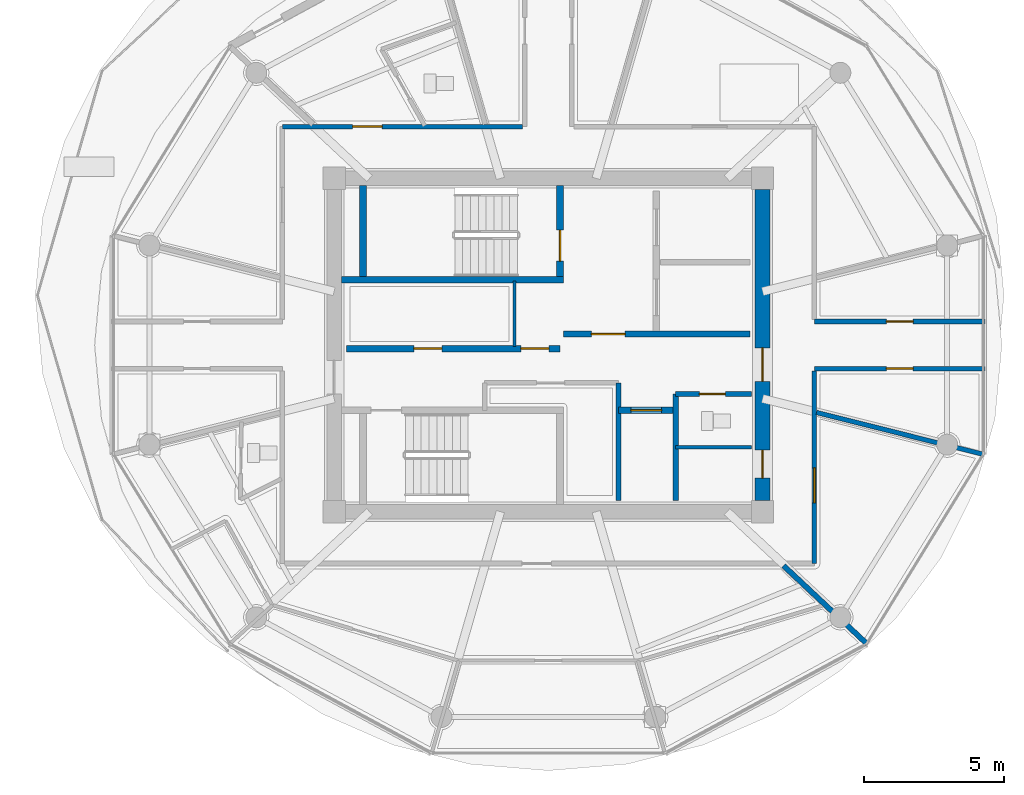
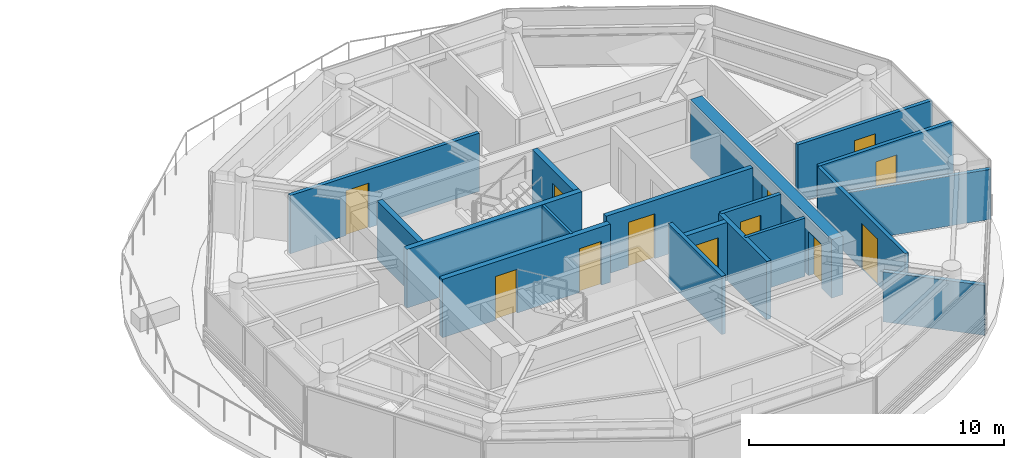
# One storey, part 14 of 28: 18 walls, 12 doors, 12 openings.
"""IFC4 building model written with IfcOpenShell, lengths in metres."""

from ifc_helpers import new_model, si_unit, direction, frame, frame_2d, origin, place, context, subcontext, project, spatial, rectangle, extrude, source, transform, mapped, material, layer, layer_set, type_object, type_shapes, element, fill, save


model = new_model("IFC4")

# Units and contexts
model_context = context("Model", 3, precision=1e-05, world=origin(), true_north=direction((0.0, 1.0)))
body_context = subcontext(model_context, "Body", "Model", "MODEL_VIEW")
ifc_project = project(units=[si_unit("LENGTHUNIT", "METRE"), si_unit("AREAUNIT", "SQUARE_METRE"), si_unit("VOLUMEUNIT", "CUBIC_METRE"), si_unit("PLANEANGLEUNIT", "RADIAN"), si_unit("MASSUNIT", "GRAM", prefix="KILO")], contexts=[model_context])

# Site, building, storey
site_placement = place(None, origin())
site = spatial("IfcSite", under=ifc_project, at=site_placement, CompositionType="ELEMENT")
building_placement = place(site_placement, origin())
building = spatial("IfcBuilding", under=site, at=building_placement, Name="Norrkilde Senior Care Towers", CompositionType="ELEMENT")
storey_placement = place(building_placement, frame((0.0, 0.0, 190.64990234375)))
storey = spatial("IfcBuildingStorey", under=building, at=storey_placement, Name="L59", CompositionType="ELEMENT", Elevation=190.64990234375)

# Wall, openings, doors
ifc_material_1 = material(Name="Concrete C50/60", Category="concrete")
ifc_layer_1 = layer(ifc_material_1, 0.52001953125)
ifc_layer_set_1 = layer_set([ifc_layer_1], Name="Concrete C50/60")
wall_type_1 = type_object("IfcWallType", Name="Core Shear Wall Z4 520", PredefinedType="SHEAR", material=ifc_layer_set_1)
shared_shape_1 = source(origin(), body_context, "Body", "SweptSolid", [
    extrude(rectangle(XDim=11.10009765625, YDim=0.52001953125, at=frame_2d((5.550048828125, 0.0))), origin(), (0.0, 0.0, 1.0), 2.81005859375),
])
type_shapes(wall_type_1, [shared_shape_1])
wall_1_placement = place(storey_placement, frame((35.64990234375, 5.550048828125, 0.0), z_axis=(0.0, 0.0, 1.0), x_axis=(0.0, -1.0, 0.0)))
wall_1 = element("IfcWall", 1, at=wall_1_placement, inside=storey, type_object=wall_type_1, Name="L59 Core E East Shear Wall", PredefinedType="SHEAR", context=body_context, shape_type="MappedRepresentation", body=[
    mapped(shared_shape_1, transform((0.0, 0.0, 0.0), x_axis=(1.0, 0.0, 0.0), y_axis=(0.0, 1.0, 0.0), z_axis=(0.0, 0.0, 1.0), scale=1.0)),
])
opening_1_placement = place(wall_1_placement, frame((5.64990234375, 0.0, 0.0)))
opening_1 = element("IfcOpeningElement", 2, at=opening_1_placement, cuts=wall_1, Name="Opening D-04", PredefinedType="OPENING", context=body_context, shape_type="SweptSolid", body=[
    extrude(rectangle(XDim=1.199951171875, YDim=2.14990234375, at=frame_2d((0.60009765625, 1.074951171875))), frame((0.0, 0.27001953125, 0.0), z_axis=(0.0, -1.0, 0.0), x_axis=(1.0, 0.0, 0.0)), (0.0, 0.0, 1.0), 0.5400390625),
])
opening_2_placement = place(wall_1_placement, frame((9.300048828125, 0.0, 0.0)))
opening_2 = element("IfcOpeningElement", 3, at=opening_2_placement, cuts=wall_1, Name="Opening D-10", PredefinedType="OPENING", context=body_context, shape_type="SweptSolid", body=[
    extrude(rectangle(XDim=1.0, YDim=2.10009765625, at=frame_2d((0.5, 1.050048828125))), frame((0.0, 0.27001953125, 0.0), z_axis=(0.0, -1.0, 0.0), x_axis=(1.0, 0.0, 0.0)), (0.0, 0.0, 1.0), 0.5400390625),
])
ifc_material_2 = material(Name="Galvanised Painted Steel", Category="steel")
door_type_1 = type_object("IfcDoorType", Name="Firefighting Lobby Fire Door 1200x2150", OperationType="NOTDEFINED", PredefinedType="DOOR", material=ifc_material_2)
shared_shape_2 = source(origin(), body_context, "Body", "SweptSolid", [
    extrude(rectangle(XDim=1.199951171875, YDim=2.14990234375, at=frame_2d((0.60009765625, 1.074951171875))), frame((0.0, 0.02490234375, 0.0), z_axis=(0.0, -1.0, 0.0), x_axis=(1.0, 0.0, 0.0)), (0.0, 0.0, 1.0), 0.050048828125),
])
type_shapes(door_type_1, [shared_shape_2])
door_1_placement = place(opening_1_placement, frame((1.199951171875, 0.0, 0.0), z_axis=(0.0, 0.0, 1.0), x_axis=(-1.0, 0.0, 0.0)))
door_1 = element("IfcDoor", 4, at=door_1_placement, inside=storey, type_object=door_type_1, Name="L59 Core E East Portal Door", OperationType="SINGLE_SWING_RIGHT", OverallHeight=2.14990234375, OverallWidth=1.199951171875, PredefinedType="DOOR", context=body_context, shape_type="MappedRepresentation", body=[
    mapped(shared_shape_2, transform((0.0, 0.0, 0.0), x_axis=(1.0, 0.0, 0.0), y_axis=(0.0, 1.0, 0.0), z_axis=(0.0, 0.0, 1.0), scale=1.0)),
])
fill(opening_1, door_1)
door_type_2 = type_object("IfcDoorType", Name="Plant and Riser Rated Door 1000x2100", OperationType="NOTDEFINED", PredefinedType="DOOR", material=ifc_material_2)
shared_shape_3 = source(origin(), body_context, "Body", "SweptSolid", [
    extrude(rectangle(XDim=1.0, YDim=2.10009765625, at=frame_2d((0.5, 1.050048828125))), frame((0.0, 0.02490234375, 0.0), z_axis=(0.0, -1.0, 0.0), x_axis=(1.0, 0.0, 0.0)), (0.0, 0.0, 1.0), 0.050048828125),
])
type_shapes(door_type_2, [shared_shape_3])
door_2_placement = place(opening_2_placement, frame((1.0, 0.0, 0.0), z_axis=(0.0, 0.0, 1.0), x_axis=(-1.0, 0.0, 0.0)))
door_2 = element("IfcDoor", 5, at=door_2_placement, inside=storey, type_object=door_type_2, Name="L59 Ventilation Riser E Door", OperationType="SINGLE_SWING_RIGHT", OverallHeight=2.10009765625, OverallWidth=1.0, PredefinedType="DOOR", context=body_context, shape_type="MappedRepresentation", body=[
    mapped(shared_shape_3, transform((0.0, 0.0, 0.0), x_axis=(1.0, 0.0, 0.0), y_axis=(0.0, 1.0, 0.0), z_axis=(0.0, 0.0, 1.0), scale=1.0)),
])
fill(opening_2, door_2)

# Wall, opening, door
ifc_material_3 = material(Name="Concrete C45/55", Category="concrete")
ifc_layer_2 = layer(ifc_material_3, 0.2099609375)
ifc_layer_set_2 = layer_set([ifc_layer_2], Name="Concrete C45/55")
wall_type_2 = type_object("IfcWallType", Name="Firefighting Lobby Wall 210", PredefinedType="PARTITIONING", material=ifc_layer_set_2)
shared_shape_4 = source(origin(), body_context, "Body", "SweptSolid", [
    extrude(rectangle(XDim=6.659912109375, YDim=0.2099609375, at=frame_2d((3.330078125, 0.0))), origin(), (0.0, 0.0, 1.0), 2.795166015625),
])
type_shapes(wall_type_2, [shared_shape_4])
wall_2_placement = place(storey_placement, frame((28.5400390625, 0.389892578125, 0.0), z_axis=(0.0, 0.0, 1.0), x_axis=(1.0, 0.0, 0.0)))
wall_2 = element("IfcWall", 6, at=wall_2_placement, inside=storey, type_object=wall_type_2, Name="WL-INT-L59-E-FFLS", PredefinedType="PARTITIONING", context=body_context, shape_type="MappedRepresentation", body=[
    mapped(shared_shape_4, transform((0.0, 0.0, 0.0), x_axis=(1.0, 0.0, 0.0), y_axis=(0.0, 1.0, 0.0), z_axis=(0.0, 0.0, 1.0), scale=1.0)),
])
opening_3_placement = place(wall_2_placement, frame((1.0, 0.0, 0.0)))
opening_3 = element("IfcOpeningElement", 7, at=opening_3_placement, cuts=wall_2, Name="Opening D-04", PredefinedType="OPENING", context=body_context, shape_type="SweptSolid", body=[
    extrude(rectangle(XDim=1.199951171875, YDim=2.14990234375, at=frame_2d((0.60009765625, 1.074951171875))), frame((0.0, 0.114990234375, 0.0), z_axis=(0.0, -1.0, 0.0), x_axis=(1.0, 0.0, 0.0)), (0.0, 0.0, 1.0), 0.22998046875),
])
door_3_placement = place(opening_3_placement, frame((1.199951171875, 0.0, 0.0), z_axis=(0.0, 0.0, 1.0), x_axis=(-1.0, 0.0, 0.0)))
door_3 = element("IfcDoor", 8, at=door_3_placement, inside=storey, type_object=door_type_1, Name="L59 Firefighting Lobby E Door", OperationType="SINGLE_SWING_LEFT", OverallHeight=2.14990234375, OverallWidth=1.199951171875, PredefinedType="DOOR", context=body_context, shape_type="MappedRepresentation", body=[
    mapped(shared_shape_2, transform((0.0, 0.0, 0.0), x_axis=(1.0, 0.0, 0.0), y_axis=(0.0, 1.0, 0.0), z_axis=(0.0, 0.0, 1.0), scale=1.0)),
])
fill(opening_3, door_3)

# Wall, openings, doors
ifc_layer_3 = layer(ifc_material_3, 0.239990234375)
ifc_layer_set_3 = layer_set([ifc_layer_3], Name="Concrete C45/55")
wall_type_3 = type_object("IfcWallType", Name="Lift and Plant Rated Enclosure Partition 240", PredefinedType="PARTITIONING", material=ifc_layer_set_3)
shared_shape_5 = source(origin(), body_context, "Body", "SweptSolid", [
    extrude(rectangle(XDim=7.619873046875, YDim=0.239990234375, at=frame_2d((3.81005859375, 0.0))), origin(), (0.0, 0.0, 1.0), 2.795166015625),
])
wall_3_placement = place(storey_placement, frame((20.800048828125, -0.1298828125, 0.0), z_axis=(0.0, 0.0, 1.0), x_axis=(1.0, 0.0, 0.0)))
wall_3 = element("IfcWall", 9, at=wall_3_placement, inside=storey, type_object=wall_type_3, Name="WL-INT-L59-E-PKAS", PredefinedType="PARTITIONING", context=body_context, shape_type="MappedRepresentation", body=[
    mapped(shared_shape_5, transform((0.0, 0.0, 0.0), x_axis=(1.0, 0.0, 0.0), y_axis=(0.0, 1.0, 0.0), z_axis=(0.0, 0.0, 1.0), scale=1.0)),
])
opening_4_placement = place(wall_3_placement, frame((6.219970703125, 0.0, 0.0)))
opening_4 = element("IfcOpeningElement", 10, at=opening_4_placement, cuts=wall_3, Name="Opening D-10", PredefinedType="OPENING", context=body_context, shape_type="SweptSolid", body=[
    extrude(rectangle(XDim=1.0, YDim=2.10009765625, at=frame_2d((0.5, 1.050048828125))), frame((0.0, 0.1298828125, 0.0), z_axis=(0.0, -1.0, 0.0), x_axis=(1.0, 0.0, 0.0)), (0.0, 0.0, 1.0), 0.260009765625),
])
opening_5_placement = place(wall_3_placement, frame((2.39990234375, 0.0, 0.0)))
opening_5 = element("IfcOpeningElement", 11, at=opening_5_placement, cuts=wall_3, Name="Opening D-10", PredefinedType="OPENING", context=body_context, shape_type="SweptSolid", body=[
    extrude(rectangle(XDim=1.0, YDim=2.10009765625, at=frame_2d((0.5, 1.050048828125))), frame((0.0, 0.1298828125, 0.0), z_axis=(0.0, -1.0, 0.0), x_axis=(1.0, 0.0, 0.0)), (0.0, 0.0, 1.0), 0.260009765625),
])
door_4_placement = place(opening_4_placement, frame((1.0, 0.0, 0.0), z_axis=(0.0, 0.0, 1.0), x_axis=(-1.0, 0.0, 0.0)))
door_4 = element("IfcDoor", 12, at=door_4_placement, inside=storey, type_object=door_type_2, Name="L59 Electrical Riser E Door", OperationType="SINGLE_SWING_LEFT", OverallHeight=2.10009765625, OverallWidth=1.0, PredefinedType="DOOR", context=body_context, shape_type="MappedRepresentation", body=[
    mapped(shared_shape_3, transform((0.0, 0.0, 0.0), x_axis=(1.0, 0.0, 0.0), y_axis=(0.0, 1.0, 0.0), z_axis=(0.0, 0.0, 1.0), scale=1.0)),
])
fill(opening_4, door_4)
door_5_placement = place(opening_5_placement, frame((1.0, 0.0, 0.0), z_axis=(0.0, 0.0, 1.0), x_axis=(-1.0, 0.0, 0.0)))
door_5 = element("IfcDoor", 13, at=door_5_placement, inside=storey, type_object=door_type_2, Name="L59 Clean Supply Store E Door", OperationType="SINGLE_SWING_LEFT", OverallHeight=2.10009765625, OverallWidth=1.0, PredefinedType="DOOR", context=body_context, shape_type="MappedRepresentation", body=[
    mapped(shared_shape_3, transform((0.0, 0.0, 0.0), x_axis=(1.0, 0.0, 0.0), y_axis=(0.0, 1.0, 0.0), z_axis=(0.0, 0.0, 1.0), scale=1.0)),
])
fill(opening_5, door_5)

# Walls
ifc_material_4 = material(Name="Gypsum Acoustic Board")
ifc_layer_4 = layer(ifc_material_4, 0.114990234375)
ifc_layer_set_4 = layer_set([ifc_layer_4], Name="Gypsum Acoustic Board")
wall_type_4 = type_object("IfcWallType", Name="Internal Room Partition 115", PredefinedType="PARTITIONING", material=ifc_layer_set_4)
shared_shape_6 = source(origin(), body_context, "Body", "SweptSolid", [
    extrude(rectangle(XDim=2.330078125, YDim=0.114990234375, at=frame_2d((1.1650390625, 0.0))), origin(), (0.0, 0.0, 1.0), 2.795166015625),
])
type_shapes(wall_type_4, [shared_shape_6])
wall_4_placement = place(storey_placement, frame((26.7900390625, -0.050048828125, 0.0), z_axis=(0.0, 0.0, 1.0), x_axis=(0.0, 1.0, 0.0)))
element("IfcWall", 14, at=wall_4_placement, inside=storey, type_object=wall_type_4, Name="WL-INT-L59-E-RISW", PredefinedType="PARTITIONING", context=body_context, shape_type="MappedRepresentation", body=[
    mapped(shared_shape_6, transform((0.0, 0.0, 0.0), x_axis=(1.0, 0.0, 0.0), y_axis=(0.0, 1.0, 0.0), z_axis=(0.0, 0.0, 1.0), scale=1.0)),
])
ifc_layer_5 = layer(ifc_material_3, 0.199951171875)
ifc_layer_set_5 = layer_set([ifc_layer_5], Name="Concrete C45/55")
wall_type_5 = type_object("IfcWallType", Name="Shaft Division and Plant Partition 200", PredefinedType="PARTITIONING", material=ifc_layer_set_5)
shared_shape_7 = source(origin(), body_context, "Body", "SweptSolid", [
    extrude(rectangle(XDim=3.800048828125, YDim=0.199951171875, at=frame_2d((1.89990234375, 0.0))), origin(), (0.0, 0.0, 1.0), 2.795166015625),
])
type_shapes(wall_type_5, [shared_shape_7])
wall_5_placement = place(storey_placement, frame((32.550048828125, -5.550048828125, 0.0), z_axis=(0.0, 0.0, 1.0), x_axis=(0.0, 1.0, 0.0)))
element("IfcWall", 15, at=wall_5_placement, inside=storey, type_object=wall_type_5, Name="WL-INT-L59-E-PKBE", PredefinedType="PARTITIONING", context=body_context, shape_type="MappedRepresentation", body=[
    mapped(shared_shape_7, transform((0.0, 0.0, 0.0), x_axis=(1.0, 0.0, 0.0), y_axis=(0.0, 1.0, 0.0), z_axis=(0.0, 0.0, 1.0), scale=1.0)),
])

# Wall, opening, door
ifc_layer_6 = layer(ifc_material_4, 0.1650390625)
ifc_layer_set_6 = layer_set([ifc_layer_6], Name="Gypsum Acoustic Board")
wall_type_6 = type_object("IfcWallType", Name="Corridor Rated Partition 165", PredefinedType="PARTITIONING", material=ifc_layer_set_6)
shared_shape_8 = source(origin(), body_context, "Body", "SweptSolid", [
    extrude(rectangle(XDim=2.699951171875, YDim=0.1650390625, at=frame_2d((1.35009765625, 0.0))), origin(), (0.0, 0.0, 1.0), 2.795166015625),
])
wall_6_placement = place(storey_placement, frame((32.550048828125, -1.75, 0.0), z_axis=(0.0, 0.0, 1.0), x_axis=(1.0, 0.0, 0.0)))
wall_6 = element("IfcWall", 16, at=wall_6_placement, inside=storey, type_object=wall_type_6, Name="WL-INT-L59-E-CSN", PredefinedType="PARTITIONING", context=body_context, shape_type="MappedRepresentation", body=[
    mapped(shared_shape_8, transform((0.0, 0.0, 0.0), x_axis=(1.0, 0.0, 0.0), y_axis=(0.0, 1.0, 0.0), z_axis=(0.0, 0.0, 1.0), scale=1.0)),
])
opening_6_placement = place(wall_6_placement, frame((0.85009765625, 0.0, 0.0)))
opening_6 = element("IfcOpeningElement", 17, at=opening_6_placement, cuts=wall_6, Name="Opening D-12", PredefinedType="OPENING", context=body_context, shape_type="SweptSolid", body=[
    extrude(rectangle(XDim=0.925048828125, YDim=2.10009765625, at=frame_2d((0.46240234375, 1.050048828125))), frame((0.0, 0.092529296875, 0.0), z_axis=(0.0, -1.0, 0.0), x_axis=(1.0, 0.0, 0.0)), (0.0, 0.0, 1.0), 0.18505859375),
])
door_type_3 = type_object("IfcDoorType", Name="Core Wet Room Rated Door 925x2100", OperationType="NOTDEFINED", PredefinedType="DOOR", material=ifc_material_2)
shared_shape_9 = source(origin(), body_context, "Body", "SweptSolid", [
    extrude(rectangle(XDim=0.925048828125, YDim=2.10009765625, at=frame_2d((0.46240234375, 1.050048828125))), frame((0.0, 0.02490234375, 0.0), z_axis=(0.0, -1.0, 0.0), x_axis=(1.0, 0.0, 0.0)), (0.0, 0.0, 1.0), 0.050048828125),
])
type_shapes(door_type_3, [shared_shape_9])
door_6_placement = place(opening_6_placement, origin())
door_6 = element("IfcDoor", 18, at=door_6_placement, inside=storey, type_object=door_type_3, Name="L59 Staff WC E Door", OperationType="SINGLE_SWING_LEFT", OverallHeight=2.10009765625, OverallWidth=0.925048828125, PredefinedType="DOOR", context=body_context, shape_type="MappedRepresentation", body=[
    mapped(shared_shape_9, transform((0.0, 0.0, 0.0), x_axis=(1.0, 0.0, 0.0), y_axis=(0.0, 1.0, 0.0), z_axis=(0.0, 0.0, 1.0), scale=1.0)),
])
fill(opening_6, door_6)

shared_shape_10 = source(origin(), body_context, "Body", "SweptSolid", [
    extrude(rectangle(XDim=8.580078125, YDim=0.1650390625, at=frame_2d((4.2900390625, 0.0))), origin(), (0.0, 0.0, 1.0), 2.795166015625),
])
wall_7_placement = place(storey_placement, frame((18.5, 7.800048828125, 0.0), z_axis=(0.0, 0.0, 1.0), x_axis=(1.0, 0.0, 0.0)))
wall_7 = element("IfcWall", 19, at=wall_7_placement, inside=storey, type_object=wall_type_6, Name="WL-INT-L59-E-CRW-N-0", PredefinedType="PARTITIONING", context=body_context, shape_type="MappedRepresentation", body=[
    mapped(shared_shape_10, transform((0.0, 0.0, 0.0), x_axis=(1.0, 0.0, 0.0), y_axis=(0.0, 1.0, 0.0), z_axis=(0.0, 0.0, 1.0), scale=1.0)),
])
opening_7_placement = place(wall_7_placement, frame((2.5146484375, 0.0, 0.0)))
opening_7 = element("IfcOpeningElement", 20, at=opening_7_placement, cuts=wall_7, Name="Opening D-06", PredefinedType="OPENING", context=body_context, shape_type="SweptSolid", body=[
    extrude(rectangle(XDim=1.050048828125, YDim=2.14990234375, at=frame_2d((0.52490234375, 1.074951171875))), frame((0.0, 0.092529296875, 0.0), z_axis=(0.0, -1.0, 0.0), x_axis=(1.0, 0.0, 0.0)), (0.0, 0.0, 1.0), 0.18505859375),
])
ifc_material_5 = material(Name="Nordic Ash Timber", Category="wood")
door_type_4 = type_object("IfcDoorType", Name="Apartment Entrance Fire Door 1050x2150", OperationType="NOTDEFINED", PredefinedType="DOOR", material=ifc_material_5)
shared_shape_11 = source(origin(), body_context, "Body", "SweptSolid", [
    extrude(rectangle(XDim=1.050048828125, YDim=2.14990234375, at=frame_2d((0.52490234375, 1.074951171875))), frame((0.0, 0.02490234375, 0.0), z_axis=(0.0, -1.0, 0.0), x_axis=(1.0, 0.0, 0.0)), (0.0, 0.0, 1.0), 0.050048828125),
])
type_shapes(door_type_4, [shared_shape_11])
door_7_placement = place(opening_7_placement, frame((1.050048828125, 0.0, 0.0), z_axis=(0.0, 0.0, 1.0), x_axis=(-1.0, 0.0, 0.0)))
door_7 = element("IfcDoor", 21, at=door_7_placement, inside=storey, type_object=door_type_4, Name="L59 Studio 59B Entrance Door", OperationType="SINGLE_SWING_RIGHT", OverallHeight=2.14990234375, OverallWidth=1.050048828125, PredefinedType="DOOR", context=body_context, shape_type="MappedRepresentation", body=[
    mapped(shared_shape_11, transform((0.0, 0.0, 0.0), x_axis=(1.0, 0.0, 0.0), y_axis=(0.0, 1.0, 0.0), z_axis=(0.0, 0.0, 1.0), scale=1.0)),
])
fill(opening_7, door_7)

shared_shape_12 = source(origin(), body_context, "Body", "SweptSolid", [
    extrude(rectangle(XDim=6.880126953125, YDim=0.1650390625, at=frame_2d((3.43994140625, 0.0))), origin(), (0.0, 0.0, 1.0), 2.795166015625),
])
wall_8_placement = place(storey_placement, frame((37.5, -0.919921875, 0.0), z_axis=(0.0, 0.0, 1.0), x_axis=(0.0, -1.0, 0.0)))
wall_8 = element("IfcWall", 22, at=wall_8_placement, inside=storey, type_object=wall_type_6, Name="WL-INT-L59-E-CRW-E-1", PredefinedType="PARTITIONING", context=body_context, shape_type="MappedRepresentation", body=[
    mapped(shared_shape_12, transform((0.0, 0.0, 0.0), x_axis=(1.0, 0.0, 0.0), y_axis=(0.0, 1.0, 0.0), z_axis=(0.0, 0.0, 1.0), scale=1.0)),
])
opening_8_placement = place(wall_8_placement, frame((3.46435546875, 0.0, 0.0)))
opening_8 = element("IfcOpeningElement", 23, at=opening_8_placement, cuts=wall_8, Name="Opening D-05", PredefinedType="OPENING", context=body_context, shape_type="SweptSolid", body=[
    extrude(rectangle(XDim=1.25, YDim=2.199951171875, at=frame_2d((0.625, 1.10009765625))), frame((0.0, 0.092529296875, 0.0), z_axis=(0.0, -1.0, 0.0), x_axis=(1.0, 0.0, 0.0)), (0.0, 0.0, 1.0), 0.18505859375),
])
door_type_5 = type_object("IfcDoorType", Name="Care Bedroom Bariatric Door 1250x2200", OperationType="NOTDEFINED", PredefinedType="DOOR", material=ifc_material_5)
shared_shape_13 = source(origin(), body_context, "Body", "SweptSolid", [
    extrude(rectangle(XDim=1.25, YDim=2.199951171875, at=frame_2d((0.625, 1.10009765625))), frame((0.0, 0.02490234375, 0.0), z_axis=(0.0, -1.0, 0.0), x_axis=(1.0, 0.0, 0.0)), (0.0, 0.0, 1.0), 0.050048828125),
])
type_shapes(door_type_5, [shared_shape_13])
door_8_placement = place(opening_8_placement, frame((1.25, 0.0, 0.0), z_axis=(0.0, 0.0, 1.0), x_axis=(-1.0, 0.0, 0.0)))
door_8 = element("IfcDoor", 24, at=door_8_placement, inside=storey, type_object=door_type_5, Name="L59 Care Coordination Charting Office Door", OperationType="SINGLE_SWING_LEFT", OverallHeight=2.199951171875, OverallWidth=1.25, PredefinedType="DOOR", context=body_context, shape_type="MappedRepresentation", body=[
    mapped(shared_shape_13, transform((0.0, 0.0, 0.0), x_axis=(1.0, 0.0, 0.0), y_axis=(0.0, 1.0, 0.0), z_axis=(0.0, 0.0, 1.0), scale=1.0)),
])
fill(opening_8, door_8)

shared_shape_14 = source(origin(), body_context, "Body", "SweptSolid", [
    extrude(rectangle(XDim=2.050048828125, YDim=0.239990234375, at=frame_2d((1.02490234375, 0.0))), origin(), (0.0, 0.0, 1.0), 2.795166015625),
])
type_shapes(wall_type_3, [shared_shape_5, shared_shape_14])
wall_9_placement = place(storey_placement, frame((30.5, -2.330078125, 0.0), z_axis=(0.0, 0.0, 1.0), x_axis=(1.0, 0.0, 0.0)))
wall_9 = element("IfcWall", 25, at=wall_9_placement, inside=storey, type_object=wall_type_3, Name="WL-INT-L59-E-PL4N", PredefinedType="PARTITIONING", context=body_context, shape_type="MappedRepresentation", body=[
    mapped(shared_shape_14, transform((0.0, 0.0, 0.0), x_axis=(1.0, 0.0, 0.0), y_axis=(0.0, 1.0, 0.0), z_axis=(0.0, 0.0, 1.0), scale=1.0)),
])
opening_9_placement = place(wall_9_placement, frame((0.449951171875, 0.0, 0.0)))
opening_9 = element("IfcOpeningElement", 26, at=opening_9_placement, cuts=wall_9, Name="Opening LD-01", PredefinedType="OPENING", context=body_context, shape_type="SweptSolid", body=[
    extrude(rectangle(XDim=1.10009765625, YDim=2.199951171875, at=frame_2d((0.550048828125, 1.10009765625))), frame((0.0, 0.1298828125, 0.0), z_axis=(0.0, -1.0, 0.0), x_axis=(1.0, 0.0, 0.0)), (0.0, 0.0, 1.0), 0.260009765625),
])
ifc_material_6 = material(Name="Stainless Steel", Category="steel")
door_type_6 = type_object("IfcDoorType", Name="Lift Landing Sliding Door 1100x2200", OperationType="NOTDEFINED", PredefinedType="DOOR", material=ifc_material_6)
shared_shape_15 = source(origin(), body_context, "Body", "SweptSolid", [
    extrude(rectangle(XDim=1.10009765625, YDim=2.199951171875, at=frame_2d((0.550048828125, 1.10009765625))), frame((0.0, 0.02490234375, 0.0), z_axis=(0.0, -1.0, 0.0), x_axis=(1.0, 0.0, 0.0)), (0.0, 0.0, 1.0), 0.050048828125),
])
type_shapes(door_type_6, [shared_shape_15])
door_9_placement = place(opening_9_placement, frame((1.10009765625, 0.0, 0.0), z_axis=(0.0, 0.0, 1.0), x_axis=(-1.0, 0.0, 0.0)))
door_9 = element("IfcDoor", 27, at=door_9_placement, inside=storey, type_object=door_type_6, Name="L59 Passenger Lift E4 Landing Door", OperationType="SLIDING_TO_RIGHT", OverallHeight=2.199951171875, OverallWidth=1.10009765625, PredefinedType="DOOR", context=body_context, shape_type="MappedRepresentation", body=[
    mapped(shared_shape_15, transform((0.0, 0.0, 0.0), x_axis=(1.0, 0.0, 0.0), y_axis=(0.0, 1.0, 0.0), z_axis=(0.0, 0.0, 1.0), scale=1.0)),
])
fill(opening_9, door_9)

# Walls
ifc_layer_7 = layer(ifc_material_3, 0.179931640625)
ifc_layer_set_7 = layer_set([ifc_layer_7], Name="Concrete C45/55")
wall_type_7 = type_object("IfcWallType", Name="Hoistway Division Rated Partition 180", PredefinedType="PARTITIONING", material=ifc_layer_set_7)
shared_shape_16 = source(origin(), body_context, "Body", "SweptSolid", [
    extrude(rectangle(XDim=4.199951171875, YDim=0.179931640625, at=frame_2d((2.10009765625, 0.0))), origin(), (0.0, 0.0, 1.0), 2.795166015625),
])
type_shapes(wall_type_7, [shared_shape_16])
wall_10_placement = place(storey_placement, frame((30.5, -5.550048828125, 0.0), z_axis=(0.0, 0.0, 1.0), x_axis=(0.0, 1.0, 0.0)))
element("IfcWall", 28, at=wall_10_placement, inside=storey, type_object=wall_type_7, Name="WL-INT-L59-E-PL4W", PredefinedType="PARTITIONING", context=body_context, shape_type="MappedRepresentation", body=[
    mapped(shared_shape_16, transform((0.0, 0.0, 0.0), x_axis=(1.0, 0.0, 0.0), y_axis=(0.0, 1.0, 0.0), z_axis=(0.0, 0.0, 1.0), scale=1.0)),
])
ifc_layer_8 = layer(ifc_material_4, 0.139892578125)
ifc_layer_set_8 = layer_set([ifc_layer_8], Name="Gypsum Acoustic Board")
wall_type_8 = type_object("IfcWallType", Name="En-suite Wet Room Wall 140", PredefinedType="PARTITIONING", material=ifc_layer_set_8)
shared_shape_17 = source(origin(), body_context, "Body", "SweptSolid", [
    extrude(rectangle(XDim=2.699951171875, YDim=0.139892578125, at=frame_2d((1.35009765625, 0.0))), origin(), (0.0, 0.0, 1.0), 2.795166015625),
])
type_shapes(wall_type_8, [shared_shape_17])
wall_11_placement = place(storey_placement, frame((32.550048828125, -3.64990234375, 0.0), z_axis=(0.0, 0.0, 1.0), x_axis=(1.0, 0.0, 0.0)))
element("IfcWall", 29, at=wall_11_placement, inside=storey, type_object=wall_type_8, Name="WL-INT-L59-E-CS2H", PredefinedType="PARTITIONING", context=body_context, shape_type="MappedRepresentation", body=[
    mapped(shared_shape_17, transform((0.0, 0.0, 0.0), x_axis=(1.0, 0.0, 0.0), y_axis=(0.0, 1.0, 0.0), z_axis=(0.0, 0.0, 1.0), scale=1.0)),
])
ifc_layer_9 = layer(ifc_material_3, 0.239990234375)
ifc_layer_set_9 = layer_set([ifc_layer_9], Name="Concrete C45/55")
wall_type_9 = type_object("IfcWallType", Name="Shaft and Stair Enclosure Wall 240", PredefinedType="PARTITIONING", material=ifc_layer_set_9)
shared_shape_18 = source(origin(), body_context, "Body", "SweptSolid", [
    extrude(rectangle(XDim=7.929931640625, YDim=0.239990234375, at=frame_2d((3.96484375, 0.0))), origin(), (0.0, 0.0, 1.0), 2.81005859375),
])
wall_12_placement = place(storey_placement, frame((20.610107421875, 2.330078125, 0.0), z_axis=(0.0, 0.0, 1.0), x_axis=(1.0, 0.0, 0.0)))
element("IfcWall", 30, at=wall_12_placement, inside=storey, type_object=wall_type_9, Name="WL-INT-L59-E-ST1S", PredefinedType="PARTITIONING", context=body_context, shape_type="MappedRepresentation", body=[
    mapped(shared_shape_18, transform((0.0, 0.0, 0.0), x_axis=(1.0, 0.0, 0.0), y_axis=(0.0, 1.0, 0.0), z_axis=(0.0, 0.0, 1.0), scale=1.0)),
])
shared_shape_19 = source(origin(), body_context, "Body", "SweptSolid", [
    extrude(rectangle(XDim=3.239990234375, YDim=0.239990234375, at=frame_2d((1.6201171875, 0.0))), origin(), (0.0, 0.0, 1.0), 2.81005859375),
])
type_shapes(wall_type_9, [shared_shape_18, shared_shape_19])
wall_13_placement = place(storey_placement, frame((21.3798828125, 2.449951171875, 0.0), z_axis=(0.0, 0.0, 1.0), x_axis=(0.0, 1.0, 0.0)))
element("IfcWall", 31, at=wall_13_placement, inside=storey, type_object=wall_type_9, Name="WL-INT-L59-E-ST1W", PredefinedType="PARTITIONING", context=body_context, shape_type="MappedRepresentation", body=[
    mapped(shared_shape_19, transform((0.0, 0.0, 0.0), x_axis=(1.0, 0.0, 0.0), y_axis=(0.0, 1.0, 0.0), z_axis=(0.0, 0.0, 1.0), scale=1.0)),
])

# Wall, opening, door
wall_14_placement = place(storey_placement, frame((28.419921875, 2.449951171875, 0.0), z_axis=(0.0, 0.0, 1.0), x_axis=(0.0, 1.0, 0.0)))
wall_14 = element("IfcWall", 32, at=wall_14_placement, inside=storey, type_object=wall_type_9, Name="WL-INT-L59-E-ST1E", PredefinedType="PARTITIONING", context=body_context, shape_type="MappedRepresentation", body=[
    mapped(shared_shape_19, transform((0.0, 0.0, 0.0), x_axis=(1.0, 0.0, 0.0), y_axis=(0.0, 1.0, 0.0), z_axis=(0.0, 0.0, 1.0), scale=1.0)),
])
opening_10_placement = place(wall_14_placement, frame((0.550048828125, 0.0, 0.0)))
opening_10 = element("IfcOpeningElement", 33, at=opening_10_placement, cuts=wall_14, Name="Opening D-03", PredefinedType="OPENING", context=body_context, shape_type="SweptSolid", body=[
    extrude(rectangle(XDim=1.10009765625, YDim=2.14990234375, at=frame_2d((0.550048828125, 1.074951171875))), frame((0.0, 0.1298828125, 0.0), z_axis=(0.0, -1.0, 0.0), x_axis=(1.0, 0.0, 0.0)), (0.0, 0.0, 1.0), 0.260009765625),
])
door_type_7 = type_object("IfcDoorType", Name="Stairwell Protected Fire Door 1100x2150", OperationType="NOTDEFINED", PredefinedType="DOOR", material=ifc_material_2)
shared_shape_20 = source(origin(), body_context, "Body", "SweptSolid", [
    extrude(rectangle(XDim=1.10009765625, YDim=2.14990234375, at=frame_2d((0.550048828125, 1.074951171875))), frame((0.0, 0.02490234375, 0.0), z_axis=(0.0, -1.0, 0.0), x_axis=(1.0, 0.0, 0.0)), (0.0, 0.0, 1.0), 0.050048828125),
])
type_shapes(door_type_7, [shared_shape_20])
door_10_placement = place(opening_10_placement, origin())
door_10 = element("IfcDoor", 34, at=door_10_placement, inside=storey, type_object=door_type_7, Name="L59 Stair E1 Fire Door", OperationType="SINGLE_SWING_LEFT", OverallHeight=2.14990234375, OverallWidth=1.10009765625, PredefinedType="DOOR", context=body_context, shape_type="MappedRepresentation", body=[
    mapped(shared_shape_20, transform((0.0, 0.0, 0.0), x_axis=(1.0, 0.0, 0.0), y_axis=(0.0, 1.0, 0.0), z_axis=(0.0, 0.0, 1.0), scale=1.0)),
])
fill(opening_10, door_10)

# Wall
shared_shape_21 = source(origin(), body_context, "Body", "SweptSolid", [
    extrude(rectangle(XDim=6.1572265625, YDim=0.1650390625, at=frame_2d((3.07861328125, 0.0))), origin(), (0.0, 0.0, 1.0), 2.39501953125),
])
wall_15_placement = place(storey_placement, frame((37.580078125, -2.407470703125, 0.0), z_axis=(0.0, 0.0, 1.0), x_axis=(0.969840867184, -0.243738984038, 0.0)))
element("IfcWall", 35, at=wall_15_placement, inside=storey, type_object=wall_type_6, Name="WL-INT-L59-E-DEM-11-0", PredefinedType="PARTITIONING", context=body_context, shape_type="MappedRepresentation", body=[
    mapped(shared_shape_21, transform((0.0, 0.0, 0.0), x_axis=(1.0, 0.0, 0.0), y_axis=(0.0, 1.0, 0.0), z_axis=(0.0, 0.0, 1.0), scale=1.0)),
])

# Wall, opening, door
shared_shape_22 = source(origin(), body_context, "Body", "SweptSolid", [
    extrude(rectangle(XDim=6.101318359375, YDim=0.1650390625, at=frame_2d((3.05078125, 0.0))), origin(), (0.0, 0.0, 1.0), 2.795166015625),
])
type_shapes(wall_type_6, [shared_shape_8, shared_shape_10, shared_shape_12, shared_shape_21, shared_shape_22])
wall_16_placement = place(storey_placement, frame((37.5, 0.840087890625, 0.0), z_axis=(0.0, 0.0, 1.0), x_axis=(1.0, 0.0, 0.0)))
wall_16 = element("IfcWall", 36, at=wall_16_placement, inside=storey, type_object=wall_type_6, Name="WL-INT-L59-E-SPK-E1-0", PredefinedType="PARTITIONING", context=body_context, shape_type="MappedRepresentation", body=[
    mapped(shared_shape_22, transform((0.0, 0.0, 0.0), x_axis=(1.0, 0.0, 0.0), y_axis=(0.0, 1.0, 0.0), z_axis=(0.0, 0.0, 1.0), scale=1.0)),
])
opening_11_placement = place(wall_16_placement, frame((2.57568359375, 0.0, 0.0)))
opening_11 = element("IfcOpeningElement", 37, at=opening_11_placement, cuts=wall_16, Name="Opening D-07", PredefinedType="OPENING", context=body_context, shape_type="SweptSolid", body=[
    extrude(rectangle(XDim=0.949951171875, YDim=2.10009765625, at=frame_2d((0.47509765625, 1.050048828125))), frame((0.0, 0.092529296875, 0.0), z_axis=(0.0, -1.0, 0.0), x_axis=(1.0, 0.0, 0.0)), (0.0, 0.0, 1.0), 0.18505859375),
])
door_type_8 = type_object("IfcDoorType", Name="Internal Suite Bedroom Door 950x2100", OperationType="NOTDEFINED", PredefinedType="DOOR", material=ifc_material_5)
shared_shape_23 = source(origin(), body_context, "Body", "SweptSolid", [
    extrude(rectangle(XDim=0.949951171875, YDim=2.10009765625, at=frame_2d((0.47509765625, 1.050048828125))), frame((0.0, 0.02490234375, 0.0), z_axis=(0.0, -1.0, 0.0), x_axis=(1.0, 0.0, 0.0)), (0.0, 0.0, 1.0), 0.050048828125),
])
type_shapes(door_type_8, [shared_shape_23])
door_11_placement = place(opening_11_placement, frame((0.949951171875, 0.0, 0.0), z_axis=(0.0, 0.0, 1.0), x_axis=(-1.0, 0.0, 0.0)))
door_11 = element("IfcDoor", 38, at=door_11_placement, inside=storey, type_object=door_type_8, Name="L59 Sun Reading Lounge 6 Door", OperationType="SINGLE_SWING_LEFT", OverallHeight=2.10009765625, OverallWidth=0.949951171875, PredefinedType="DOOR", context=body_context, shape_type="MappedRepresentation", body=[
    mapped(shared_shape_23, transform((0.0, 0.0, 0.0), x_axis=(1.0, 0.0, 0.0), y_axis=(0.0, 1.0, 0.0), z_axis=(0.0, 0.0, 1.0), scale=1.0)),
])
fill(opening_11, door_11)

wall_17_placement = place(storey_placement, frame((43.601318359375, -0.840087890625, 0.0), z_axis=(0.0, 0.0, 1.0), x_axis=(-1.0, 0.0, 0.0)))
wall_17 = element("IfcWall", 39, at=wall_17_placement, inside=storey, type_object=wall_type_6, Name="WL-INT-L59-E-SPK-E2-0", PredefinedType="PARTITIONING", context=body_context, shape_type="MappedRepresentation", body=[
    mapped(shared_shape_22, transform((0.0, 0.0, 0.0), x_axis=(1.0, 0.0, 0.0), y_axis=(0.0, 1.0, 0.0), z_axis=(0.0, 0.0, 1.0), scale=1.0)),
])
opening_12_placement = place(wall_17_placement, frame((2.57568359375, 0.0, 0.0)))
opening_12 = element("IfcOpeningElement", 40, at=opening_12_placement, cuts=wall_17, Name="Opening D-07", PredefinedType="OPENING", context=body_context, shape_type="SweptSolid", body=[
    extrude(rectangle(XDim=0.949951171875, YDim=2.10009765625, at=frame_2d((0.47509765625, 1.050048828125))), frame((0.0, 0.092529296875, 0.0), z_axis=(0.0, -1.0, 0.0), x_axis=(1.0, 0.0, 0.0)), (0.0, 0.0, 1.0), 0.18505859375),
])
door_12_placement = place(opening_12_placement, frame((0.949951171875, 0.0, 0.0), z_axis=(0.0, 0.0, 1.0), x_axis=(-1.0, 0.0, 0.0)))
door_12 = element("IfcDoor", 41, at=door_12_placement, inside=storey, type_object=door_type_8, Name="L59 Sun Reading Lounge 5 Door", OperationType="SINGLE_SWING_RIGHT", OverallHeight=2.10009765625, OverallWidth=0.949951171875, PredefinedType="DOOR", context=body_context, shape_type="MappedRepresentation", body=[
    mapped(shared_shape_23, transform((0.0, 0.0, 0.0), x_axis=(1.0, 0.0, 0.0), y_axis=(0.0, 1.0, 0.0), z_axis=(0.0, 0.0, 1.0), scale=1.0)),
])
fill(opening_12, door_12)

# Wall
ifc_layer_10 = layer(ifc_material_4, 0.18994140625)
ifc_layer_set_10 = layer_set([ifc_layer_10], Name="Gypsum Acoustic Board")
wall_type_10 = type_object("IfcWallType", Name="Unit Demising Acoustic Wall 190", PredefinedType="PARTITIONING", material=ifc_layer_set_10)
shared_shape_24 = source(origin(), body_context, "Body", "SweptSolid", [
    extrude(rectangle(XDim=4.089111328125, YDim=0.18994140625, at=frame_2d((2.04443359375, 0.0))), origin(), (0.0, 0.0, 1.0), 2.39501953125),
])
type_shapes(wall_type_10, [shared_shape_24])
wall_18_placement = place(storey_placement, frame((36.40185546875, -7.8798828125, 0.0), z_axis=(0.0, 0.0, 1.0), x_axis=(0.729401273609, -0.684086092577, 0.0)))
element("IfcWall", 42, at=wall_18_placement, inside=storey, type_object=wall_type_10, Name="WL-INT-L59-E-DEM-10-0", PredefinedType="PARTITIONING", context=body_context, shape_type="MappedRepresentation", body=[
    mapped(shared_shape_24, transform((0.0, 0.0, 0.0), x_axis=(1.0, 0.0, 0.0), y_axis=(0.0, 1.0, 0.0), z_axis=(0.0, 0.0, 1.0), scale=1.0)),
])

save(model, "model.ifc")
